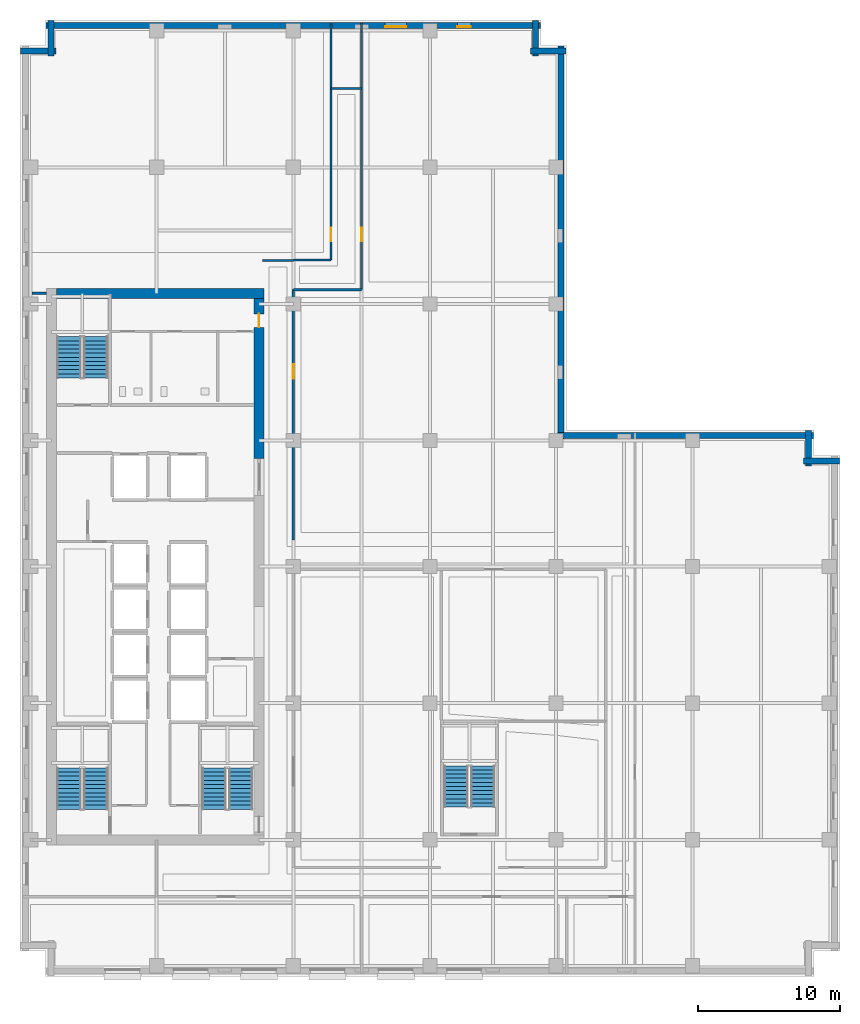
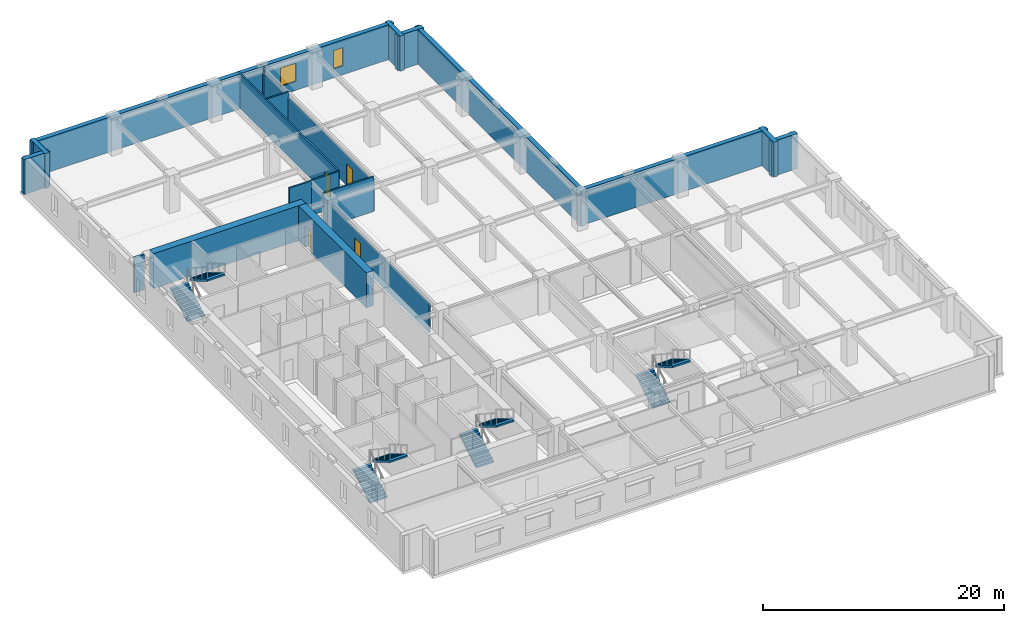
# One storey, part 7 of 12: 20 walls, 8 stair flights, 4 doors, 2 windows, 6 openings, 4 elements without a shape of their own.
"""IFC4 building model written with IfcOpenShell, lengths in metres."""

from ifc_helpers import new_model, si_unit, direction, frame, frame_2d, origin, place, context, subcontext, project, spatial, polyline, rectangle, outline, extrude, material, layer, layer_set, type_object, element, fill, aggregate, save


model = new_model("IFC4")

# Units and contexts
model_context = context("Model", 3, precision=1e-05, world=origin(), true_north=direction((0.0, 1.0)))
body_context = subcontext(model_context, "Body", "Model", "MODEL_VIEW")
ifc_project = project(units=[si_unit("LENGTHUNIT", "METRE"), si_unit("AREAUNIT", "SQUARE_METRE"), si_unit("VOLUMEUNIT", "CUBIC_METRE"), si_unit("PLANEANGLEUNIT", "RADIAN"), si_unit("MASSUNIT", "GRAM", prefix="KILO")], contexts=[model_context])

# Site, building, storey
site_placement = place(None, origin())
site = spatial("IfcSite", under=ifc_project, at=site_placement, CompositionType="ELEMENT")
building_placement = place(site_placement, origin())
building = spatial("IfcBuilding", under=site, at=building_placement, Name="Norrvale University Quadrangle", CompositionType="ELEMENT")
storey_placement = place(building_placement, frame((0.0, 0.0, 135.60009765625)))
storey = spatial("IfcBuildingStorey", under=building, at=storey_placement, Name="L34", CompositionType="ELEMENT", Elevation=135.60009765625)

# Walls
ifc_material_1 = material(Name="Buff Norman Clay Brick Masonry", Category="masonry")
ifc_layer_1 = layer(ifc_material_1, 0.419921875, Name="Buff Norman Clay Brick Masonry")
ifc_layer_set_1 = layer_set([ifc_layer_1], Name="Buff Norman Clay Brick Masonry")
wall_type_1 = type_object("IfcWallType", Name="Wall Buff Brick 420", PredefinedType="SOLIDWALL", material=ifc_layer_set_1)
for number, where, z_axis, x_axis, name in (
    (1, (57.56005859375, 36.2099609375, 0.0), (0.0, 0.0, 1.0), (-1.0, 0.0, 0.0), "Exterior Brick Facade Wall L34-05.1"),
    (2, (55.409912109375, 35.860107421875, 0.0), (0.0, 0.0, 1.0), (0.0, 1.0, 0.0), "Exterior Brick Facade Wall L34-06.1"),
):
    element("IfcWall", number, at=place(storey_placement, frame(where, z_axis=z_axis, x_axis=x_axis)), inside=storey, type_object=wall_type_1, Name=name, PredefinedType="SOLIDWALL", context=body_context, shape_type="SweptSolid", body=[
        extrude(rectangle(XDim=2.5, YDim=0.419921875, at=frame_2d((1.25, 0.0))), origin(), (0.0, 0.0, 1.0), 3.539794921875),
    ])
wall_1_placement = place(storey_placement, frame((55.760009765625, 38.010009765625, 0.0), z_axis=(0.0, 0.0, 1.0), x_axis=(-1.0, 0.0, 0.0)))
element("IfcWall", 3, at=wall_1_placement, inside=storey, type_object=wall_type_1, Name="Exterior Brick Facade Wall L34-07.1", PredefinedType="SOLIDWALL", context=body_context, shape_type="SweptSolid", body=[
    extrude(rectangle(XDim=18.10009765625, YDim=0.419921875, at=frame_2d((9.050048828125, 0.0))), origin(), (0.0, 0.0, 1.0), 3.539794921875),
])
wall_2_placement = place(storey_placement, frame((38.010009765625, 37.659912109375, 0.0), z_axis=(0.0, 0.0, 1.0), x_axis=(0.0, 1.0, 0.0)))
element("IfcWall", 4, at=wall_2_placement, inside=storey, type_object=wall_type_1, Name="Exterior Brick Facade Wall L34-08.1", PredefinedType="SOLIDWALL", context=body_context, shape_type="SweptSolid", body=[
    extrude(rectangle(XDim=27.7001953125, YDim=0.419921875, at=frame_2d((13.85009765625, 0.0))), origin(), (0.0, 0.0, 1.0), 3.539794921875),
])
for number, where, z_axis, x_axis, name in (
    (5, (38.360107421875, 65.010009765625, 0.0), (0.0, 0.0, 1.0), (-1.0, 0.0, 0.0), "Exterior Brick Facade Wall L34-09.1"),
    (6, (36.2099609375, 64.659912109375, 0.0), (0.0, 0.0, 1.0), (0.0, 1.0, 0.0), "Exterior Brick Facade Wall L34-10.1"),
):
    element("IfcWall", number, at=place(storey_placement, frame(where, z_axis=z_axis, x_axis=x_axis)), inside=storey, type_object=wall_type_1, Name=name, PredefinedType="SOLIDWALL", context=body_context, shape_type="SweptSolid", body=[
        extrude(rectangle(XDim=2.5, YDim=0.419921875, at=frame_2d((1.25, 0.0))), origin(), (0.0, 0.0, 1.0), 3.539794921875),
    ])

# Wall, openings, windows
wall_3_placement = place(storey_placement, frame((36.56005859375, 66.81005859375, 0.0), z_axis=(0.0, 0.0, 1.0), x_axis=(-1.0, 0.0, 0.0)))
wall_3 = element("IfcWall", 7, at=wall_3_placement, inside=storey, type_object=wall_type_1, Name="Exterior Brick Facade Wall L34-11.1", PredefinedType="SOLIDWALL", context=body_context, shape_type="SweptSolid", body=[
    extrude(rectangle(XDim=34.719970703125, YDim=0.419921875, at=frame_2d((17.35986328125, 0.0))), origin(), (0.0, 0.0, 1.0), 3.539794921875),
])
opening_1_placement = place(wall_3_placement, frame((4.885009765625, 0.0, 0.89990234375)))
opening_1 = element("IfcOpeningElement", 8, at=opening_1_placement, cuts=wall_3, Name="Opening W04", PredefinedType="OPENING", context=body_context, shape_type="SweptSolid", body=[
    extrude(rectangle(XDim=0.949951171875, YDim=1.85009765625, at=frame_2d((0.47509765625, 0.925048828125))), frame((0.0, 0.221923828125, 0.0), z_axis=(0.0, -1.0, 0.0), x_axis=(1.0, 0.0, 0.0)), (0.0, 0.0, 1.0), 0.44384765625),
])
opening_2_placement = place(wall_3_placement, frame((9.409912109375, 0.0, 0.89990234375)))
opening_2 = element("IfcOpeningElement", 9, at=opening_2_placement, cuts=wall_3, Name="Opening W03", PredefinedType="OPENING", context=body_context, shape_type="SweptSolid", body=[
    extrude(rectangle(XDim=1.5, YDim=1.85009765625, at=frame_2d((0.75, 0.925048828125))), frame((0.0, 0.221923828125, 0.0), z_axis=(0.0, -1.0, 0.0), x_axis=(1.0, 0.0, 0.0)), (0.0, 0.0, 1.0), 0.44384765625),
])
ifc_material_2 = material(Name="Triple Low-E Argon Glazing", Category="glass")
window_type_1 = type_object("IfcWindowType", Name="Window Narrow Pier 950x2300", PartitioningType="SINGLE_PANEL", PredefinedType="WINDOW", material=ifc_material_2)
window_1_placement = place(opening_1_placement, origin())
window_1 = element("IfcWindow", 10, at=window_1_placement, inside=storey, type_object=window_type_1, Name="Window Narrow Pier 950x2300 WIN-L34-E11-1-01", OverallHeight=1.85009765625, OverallWidth=0.949951171875, PartitioningType="SINGLE_PANEL", PredefinedType="WINDOW", context=body_context, shape_type="SweptSolid", body=[
    extrude(rectangle(XDim=0.949951171875, YDim=1.85009765625, at=frame_2d((0.47509765625, 0.925048828125))), frame((0.0, 0.110107421875, 0.0), z_axis=(0.0, -1.0, 0.0), x_axis=(1.0, 0.0, 0.0)), (0.0, 0.0, 1.0), 0.06005859375),
])
fill(opening_1, window_1)
window_type_2 = type_object("IfcWindowType", Name="Window Studio 1500x2300", PartitioningType="DOUBLE_PANEL_VERTICAL", PredefinedType="WINDOW", material=ifc_material_2)
window_2_placement = place(opening_2_placement, origin())
window_2 = element("IfcWindow", 11, at=window_2_placement, inside=storey, type_object=window_type_2, Name="Window Studio 1500x2300 WIN-L34-E11-1-02", OverallHeight=1.85009765625, OverallWidth=1.5, PartitioningType="DOUBLE_PANEL_VERTICAL", PredefinedType="WINDOW", context=body_context, shape_type="SweptSolid", body=[
    extrude(rectangle(XDim=1.5, YDim=1.85009765625, at=frame_2d((0.75, 0.925048828125))), frame((0.0, 0.110107421875, 0.0), z_axis=(0.0, -1.0, 0.0), x_axis=(1.0, 0.0, 0.0)), (0.0, 0.0, 1.0), 0.06005859375),
])
fill(opening_2, window_2)

# Walls
for number, where, z_axis, x_axis, name in (
    (12, (2.18994140625, 67.159912109375, 0.0), (0.0, 0.0, 1.0), (0.0, -1.0, 0.0), "Exterior Brick Facade Wall L34-12.1"),
    (13, (2.5400390625, 65.010009765625, 0.0), (0.0, 0.0, 1.0), (-1.0, 0.0, 0.0), "Exterior Brick Facade Wall L34-13.1"),
):
    element("IfcWall", number, at=place(storey_placement, frame(where, z_axis=z_axis, x_axis=x_axis)), inside=storey, type_object=wall_type_1, Name=name, PredefinedType="SOLIDWALL", context=body_context, shape_type="SweptSolid", body=[
        extrude(rectangle(XDim=2.5, YDim=0.419921875, at=frame_2d((1.25, 0.0))), origin(), (0.0, 0.0, 1.0), 3.539794921875),
    ])
ifc_material_3 = material(Name="Concrete C60/75", Category="concrete")
ifc_layer_2 = layer(ifc_material_3, 0.699951171875, Name="Concrete C60/75")
ifc_layer_set_2 = layer_set([ifc_layer_2], Name="Concrete C60/75")
wall_type_2 = type_object("IfcWallType", Name="Wall Core 700", PredefinedType="SHEAR", material=ifc_layer_set_2)
wall_4_placement = place(storey_placement, frame((2.550048828125, 48.0, 0.0), z_axis=(0.0, 0.0, 1.0), x_axis=(1.0, 0.0, 0.0)))
element("IfcWall", 14, at=wall_4_placement, inside=storey, type_object=wall_type_2, Name="Tower Core Shear Wall L34-N", PredefinedType="SHEAR", context=body_context, shape_type="SweptSolid", body=[
    extrude(rectangle(XDim=14.599853515625, YDim=0.699951171875, at=frame_2d((7.2998046875, 0.0))), origin(), (0.0, 0.0, 1.0), 3.539794921875),
])

# Wall, opening, door
wall_5_placement = place(storey_placement, frame((16.800048828125, 36.39990234375, 0.0), z_axis=(0.0, 0.0, 1.0), x_axis=(0.0, 1.0, 0.0)))
wall_5 = element("IfcWall", 15, at=wall_5_placement, inside=storey, type_object=wall_type_2, Name="Tower Core Shear Wall L34-E3", PredefinedType="SHEAR", context=body_context, shape_type="SweptSolid", body=[
    extrude(rectangle(XDim=11.25, YDim=0.699951171875, at=frame_2d((5.625, 0.0))), origin(), (0.0, 0.0, 1.0), 3.539794921875),
])
opening_3_placement = place(wall_5_placement, frame((9.199951171875, 0.0, 0.0)))
opening_3 = element("IfcOpeningElement", 16, at=opening_3_placement, cuts=wall_5, Name="Opening D07", PredefinedType="OPENING", context=body_context, shape_type="SweptSolid", body=[
    extrude(rectangle(XDim=0.949951171875, YDim=2.14990234375, at=frame_2d((0.47509765625, 1.074951171875))), frame((0.0, 0.362060546875, 0.0), z_axis=(0.0, -1.0, 0.0), x_axis=(1.0, 0.0, 0.0)), (0.0, 0.0, 1.0), 0.723876953125),
])
ifc_material_4 = material(Name="Solid-Core Maple Door", Category="wood")
door_type_1 = type_object("IfcDoorType", Name="Door Office 950x2150", OperationType="NOTDEFINED", PredefinedType="DOOR", material=ifc_material_4)
door_1_placement = place(opening_3_placement, origin())
door_1 = element("IfcDoor", 17, at=door_1_placement, inside=storey, type_object=door_type_1, Name="Door Office 950x2150 DR-L34-NECORR", OperationType="SINGLE_SWING_LEFT", OverallHeight=2.14990234375, OverallWidth=0.949951171875, PredefinedType="DOOR", context=body_context, shape_type="SweptSolid", body=[
    extrude(rectangle(XDim=0.949951171875, YDim=2.14990234375, at=frame_2d((0.47509765625, 1.074951171875))), frame((0.0, 0.02490234375, 0.0), z_axis=(0.0, -1.0, 0.0), x_axis=(1.0, 0.0, 0.0)), (0.0, 0.0, 1.0), 0.050048828125),
])
fill(opening_3, door_1)

# Wall
ifc_material_5 = material(Name="Fire-Rated Gypsum Stud Partition")
ifc_layer_3 = layer(ifc_material_5, 0.14990234375, Name="Fire-Rated Gypsum Stud Partition")
ifc_layer_set_3 = layer_set([ifc_layer_3], Name="Fire-Rated Gypsum Stud Partition")
wall_type_3 = type_object("IfcWallType", Name="Wall Gypsum Corridor 150", PredefinedType="PARTITIONING", material=ifc_layer_set_3)
wall_6_placement = place(storey_placement, frame((17.050048828125, 50.300048828125, 0.0), z_axis=(0.0, 0.0, 1.0), x_axis=(1.0, 0.0, 0.0)))
element("IfcWall", 18, at=wall_6_placement, inside=storey, type_object=wall_type_3, Name="Interior Partition WL-L34-CN-END", PredefinedType="PARTITIONING", context=body_context, shape_type="SweptSolid", body=[
    extrude(rectangle(XDim=2.14990234375, YDim=0.14990234375, at=frame_2d((1.074951171875, 0.0))), origin(), (0.0, 0.0, 1.0), 3.539794921875),
])

# Wall, opening, door
wall_7_placement = place(storey_placement, frame((19.199951171875, 30.64990234375, 0.0), z_axis=(0.0, 0.0, 1.0), x_axis=(0.0, 1.0, 0.0)))
wall_7 = element("IfcWall", 19, at=wall_7_placement, inside=storey, type_object=wall_type_3, Name="Interior Partition WL-L34-MNECW", PredefinedType="PARTITIONING", context=body_context, shape_type="SweptSolid", body=[
    extrude(rectangle(XDim=17.60009765625, YDim=0.14990234375, at=frame_2d((8.800048828125, 0.0))), origin(), (0.0, 0.0, 1.0), 2.995849609375),
])
opening_4_placement = place(wall_7_placement, frame((11.35009765625, 0.0, 0.0)))
opening_4 = element("IfcOpeningElement", 20, at=opening_4_placement, cuts=wall_7, Name="Opening D04", PredefinedType="OPENING", context=body_context, shape_type="SweptSolid", body=[
    extrude(rectangle(XDim=1.0, YDim=2.199951171875, at=frame_2d((0.5, 1.10009765625))), frame((0.0, 0.0869140625, 0.0), z_axis=(0.0, -1.0, 0.0), x_axis=(1.0, 0.0, 0.0)), (0.0, 0.0, 1.0), 0.173828125),
])
ifc_material_6 = material(Name="Solid-Core Oak Fire Door", Category="wood")
door_type_2 = type_object("IfcDoorType", Name="Door Corridor 1000x2200", OperationType="NOTDEFINED", PredefinedType="DOOR", material=ifc_material_6)
door_2_placement = place(opening_4_placement, origin())
door_2 = element("IfcDoor", 21, at=door_2_placement, inside=storey, type_object=door_type_2, Name="Door Corridor 1000x2200 DR-L34-MNE01", OperationType="SINGLE_SWING_RIGHT", OverallHeight=2.199951171875, OverallWidth=1.0, PredefinedType="DOOR", context=body_context, shape_type="SweptSolid", body=[
    extrude(rectangle(XDim=1.0, YDim=2.199951171875, at=frame_2d((0.5, 1.10009765625))), frame((0.0, 0.02490234375, 0.0), z_axis=(0.0, -1.0, 0.0), x_axis=(1.0, 0.0, 0.0)), (0.0, 0.0, 1.0), 0.050048828125),
])
fill(opening_4, door_2)

# Walls
wall_8_placement = place(storey_placement, frame((19.199951171875, 48.25, 0.0), z_axis=(0.0, 0.0, 1.0), x_axis=(1.0, 0.0, 0.0)))
element("IfcWall", 22, at=wall_8_placement, inside=storey, type_object=wall_type_3, Name="Interior Partition WL-L34-JOGS", PredefinedType="PARTITIONING", context=body_context, shape_type="SweptSolid", body=[
    extrude(rectangle(XDim=4.800048828125, YDim=0.14990234375, at=frame_2d((2.39990234375, 0.0))), origin(), (0.0, 0.0, 1.0), 3.539794921875),
])
wall_9_placement = place(storey_placement, frame((19.199951171875, 50.35009765625, 0.0), z_axis=(0.0, 0.0, 1.0), x_axis=(1.0, 0.0, 0.0)))
element("IfcWall", 23, at=wall_9_placement, inside=storey, type_object=wall_type_3, Name="Interior Partition WL-L34-JOGN", PredefinedType="PARTITIONING", context=body_context, shape_type="SweptSolid", body=[
    extrude(rectangle(XDim=2.650146484375, YDim=0.14990234375, at=frame_2d((1.3251953125, 0.0))), origin(), (0.0, 0.0, 1.0), 3.539794921875),
])
wall_10_placement = place(storey_placement, frame((21.85009765625, 62.39990234375, 0.0), z_axis=(0.0, 0.0, 1.0), x_axis=(1.0, 0.0, 0.0)))
element("IfcWall", 24, at=wall_10_placement, inside=storey, type_object=wall_type_3, Name="Interior Partition WL-L34-JOGEND", PredefinedType="PARTITIONING", context=body_context, shape_type="SweptSolid", body=[
    extrude(rectangle(XDim=2.14990234375, YDim=0.14990234375, at=frame_2d((1.074951171875, 0.0))), origin(), (0.0, 0.0, 1.0), 3.539794921875),
])

# Wall, opening, door
wall_11_placement = place(storey_placement, frame((24.0, 48.25, 0.0), z_axis=(0.0, 0.0, 1.0), x_axis=(0.0, 1.0, 0.0)))
wall_11 = element("IfcWall", 25, at=wall_11_placement, inside=storey, type_object=wall_type_3, Name="Interior Partition WL-L34-NECW", PredefinedType="PARTITIONING", context=body_context, shape_type="SweptSolid", body=[
    extrude(rectangle(XDim=18.093994140625, YDim=0.14990234375, at=frame_2d((9.046875, 0.0))), origin(), (0.0, 0.0, 1.0), 3.0068359375),
])
opening_5_placement = place(wall_11_placement, frame((3.39990234375, 0.0, 0.0)))
opening_5 = element("IfcOpeningElement", 26, at=opening_5_placement, cuts=wall_11, Name="Opening D07", PredefinedType="OPENING", context=body_context, shape_type="SweptSolid", body=[
    extrude(rectangle(XDim=0.949951171875, YDim=2.14990234375, at=frame_2d((0.47509765625, 1.074951171875))), frame((0.0, 0.0869140625, 0.0), z_axis=(0.0, -1.0, 0.0), x_axis=(1.0, 0.0, 0.0)), (0.0, 0.0, 1.0), 0.173828125),
])
door_3_placement = place(opening_5_placement, origin())
door_3 = element("IfcDoor", 27, at=door_3_placement, inside=storey, type_object=door_type_1, Name="Door Office 950x2150 DR-L34-NE01", OperationType="SINGLE_SWING_RIGHT", OverallHeight=2.14990234375, OverallWidth=0.949951171875, PredefinedType="DOOR", context=body_context, shape_type="SweptSolid", body=[
    extrude(rectangle(XDim=0.949951171875, YDim=2.14990234375, at=frame_2d((0.47509765625, 1.074951171875))), frame((0.0, 0.02490234375, 0.0), z_axis=(0.0, -1.0, 0.0), x_axis=(1.0, 0.0, 0.0)), (0.0, 0.0, 1.0), 0.050048828125),
])
fill(opening_5, door_3)

# Wall
wall_12_placement = place(storey_placement, frame((24.0, 66.343994140625, 0.0), z_axis=(0.0, 0.0, 1.0), x_axis=(0.0, 1.0, 0.0)))
element("IfcWall", 28, at=wall_12_placement, inside=storey, type_object=wall_type_3, Name="Interior Partition WL-L34-NECW-B2", PredefinedType="PARTITIONING", context=body_context, shape_type="SweptSolid", body=[
    extrude(rectangle(XDim=0.635986328125, YDim=0.14990234375, at=frame_2d((0.31787109375, 0.0))), origin(), (0.0, 0.0, 1.0), 3.539794921875),
])

# Wall, opening, door
wall_13_placement = place(storey_placement, frame((21.85009765625, 50.35009765625, 0.0), z_axis=(0.0, 0.0, 1.0), x_axis=(0.0, 1.0, 0.0)))
wall_13 = element("IfcWall", 29, at=wall_13_placement, inside=storey, type_object=wall_type_3, Name="Interior Partition WL-L34-NWCW", PredefinedType="PARTITIONING", context=body_context, shape_type="SweptSolid", body=[
    extrude(rectangle(XDim=16.6298828125, YDim=0.14990234375, at=frame_2d((8.31494140625, 0.0))), origin(), (0.0, 0.0, 1.0), 3.539794921875),
])
opening_6_placement = place(wall_13_placement, frame((1.300048828125, 0.0, 0.0)))
opening_6 = element("IfcOpeningElement", 30, at=opening_6_placement, cuts=wall_13, Name="Opening D07", PredefinedType="OPENING", context=body_context, shape_type="SweptSolid", body=[
    extrude(rectangle(XDim=0.949951171875, YDim=2.14990234375, at=frame_2d((0.47509765625, 1.074951171875))), frame((0.0, 0.0869140625, 0.0), z_axis=(0.0, -1.0, 0.0), x_axis=(1.0, 0.0, 0.0)), (0.0, 0.0, 1.0), 0.173828125),
])
door_4_placement = place(opening_6_placement, origin())
door_4 = element("IfcDoor", 31, at=door_4_placement, inside=storey, type_object=door_type_1, Name="Door Office 950x2150 DR-L34-NW01", OperationType="SINGLE_SWING_RIGHT", OverallHeight=2.14990234375, OverallWidth=0.949951171875, PredefinedType="DOOR", context=body_context, shape_type="SweptSolid", body=[
    extrude(rectangle(XDim=0.949951171875, YDim=2.14990234375, at=frame_2d((0.47509765625, 1.074951171875))), frame((0.0, 0.02490234375, 0.0), z_axis=(0.0, -1.0, 0.0), x_axis=(1.0, 0.0, 0.0)), (0.0, 0.0, 1.0), 0.050048828125),
])
fill(opening_6, door_4)

# Wall
ifc_material_7 = material(Name="Concrete Blockwork 20 MPa Rated Wall", Category="masonry")
ifc_layer_4 = layer(ifc_material_7, 0.199951171875, Name="Concrete Blockwork 20 MPa Rated Wall")
ifc_layer_set_4 = layer_set([ifc_layer_4], Name="Concrete Blockwork 20 MPa Rated Wall")
wall_type_4 = type_object("IfcWallType", Name="Wall Lobby 200", PredefinedType="SOLIDWALL", material=ifc_layer_set_4)
wall_14_placement = place(storey_placement, frame((0.85009765625, 48.0, 0.0), z_axis=(0.0, 0.0, 1.0), x_axis=(1.0, 0.0, 0.0)))
element("IfcWall", 32, at=wall_14_placement, inside=storey, type_object=wall_type_4, Name="Interior Partition WL-L34-CWRET-N", PredefinedType="SOLIDWALL", context=body_context, shape_type="SweptSolid", body=[
    extrude(rectangle(XDim=0.994873046875, YDim=0.199951171875, at=frame_2d((0.49755859375, 0.0))), origin(), (0.0, 0.0, 1.0), 3.539794921875),
])

# Stair, stair flights
ifc_material_8 = material(Name="Concrete C40/50", Category="concrete")
stair_type = type_object("IfcStairType", Name="Stair Tower Typ 3800", PredefinedType="TWO_STRAIGHT_RUN_STAIR", material=ifc_material_8)
stair_1_placement = place(storey_placement, origin())
stair_1 = element("IfcStair", 33, at=stair_1_placement, inside=storey, type_object=stair_type, Name="Exit Stair ST-01 L34", PredefinedType="TWO_STRAIGHT_RUN_STAIR")
stair_flight_type = type_object("IfcStairFlightType", Name="Flight Typ 1500", PredefinedType="STRAIGHT", material=ifc_material_8)
stair_flight_1_placement = place(storey_placement, frame((3.429931640625, 11.75, 0.0), z_axis=(0.0, 0.0, 1.0), x_axis=(0.0, 1.0, 0.0)))
stair_flight_1 = element("IfcStairFlight", 34, at=stair_flight_1_placement, type_object=stair_flight_type, Name="Exit Stair ST-01 L34 Lower Flight", NumberOfRisers=11, NumberOfTreads=10, PredefinedType="STRAIGHT", RiserHeight=0.172727, TreadLength=0.29, context=body_context, shape_type="SweptSolid", body=[
    extrude(outline(polyline([(0.0, 0.0), (0.0, 0.172607421875), (0.2900390625, 0.172607421875), (0.2900390625, 0.345458984375), (0.580078125, 0.345458984375), (0.580078125, 0.51806640625), (0.8701171875, 0.51806640625), (0.8701171875, 0.69091796875), (1.159912109375, 0.69091796875), (1.159912109375, 0.863525390625), (1.449951171875, 0.863525390625), (1.449951171875, 1.036376953125), (1.739990234375, 1.036376953125), (1.739990234375, 1.208984375), (2.030029296875, 1.208984375), (2.030029296875, 1.3818359375), (2.320068359375, 1.3818359375), (2.320068359375, 1.554443359375), (2.610107421875, 1.554443359375), (2.610107421875, 1.727294921875), (2.89990234375, 1.727294921875), (2.89990234375, 1.89990234375), (2.89990234375, 1.552734375), (0.29296875, 0.0), (0.0, 0.0)])), frame((0.0, 0.83984375, 0.0), z_axis=(0.0, -1.0, 0.0), x_axis=(1.0, 0.0, 0.0)), (0.0, 0.0, 1.0), 1.679931640625),
])
stair_flight_2_placement = place(storey_placement, frame((5.320068359375, 14.64990234375, 1.89990234375), z_axis=(0.0, 0.0, 1.0), x_axis=(0.0, -1.0, 0.0)))
stair_flight_2 = element("IfcStairFlight", 35, at=stair_flight_2_placement, type_object=stair_flight_type, Name="Exit Stair ST-01 L34 Upper Flight", NumberOfRisers=11, NumberOfTreads=10, PredefinedType="STRAIGHT", RiserHeight=0.172727, TreadLength=0.29, context=body_context, shape_type="SweptSolid", body=[
    extrude(outline(polyline([(0.0, 0.0), (0.0, 0.172607421875), (0.2900390625, 0.172607421875), (0.2900390625, 0.345458984375), (0.580078125, 0.345458984375), (0.580078125, 0.51806640625), (0.8701171875, 0.51806640625), (0.8701171875, 0.69091796875), (1.159912109375, 0.69091796875), (1.159912109375, 0.863525390625), (1.449951171875, 0.863525390625), (1.449951171875, 1.036376953125), (1.739990234375, 1.036376953125), (1.739990234375, 1.208984375), (2.030029296875, 1.208984375), (2.030029296875, 1.3818359375), (2.320068359375, 1.3818359375), (2.320068359375, 1.554443359375), (2.610107421875, 1.554443359375), (2.610107421875, 1.727294921875), (2.89990234375, 1.727294921875), (2.89990234375, 1.89990234375), (2.89990234375, 1.552734375), (0.29296875, 0.0), (0.0, 0.0)])), frame((0.0, 0.83984375, 0.0), z_axis=(0.0, -1.0, 0.0), x_axis=(1.0, 0.0, 0.0)), (0.0, 0.0, 1.0), 1.679931640625),
])
aggregate(stair_1, [stair_flight_1, stair_flight_2])

stair_2_placement = place(storey_placement, origin())
stair_2 = element("IfcStair", 36, at=stair_2_placement, inside=storey, type_object=stair_type, Name="Exit Stair ST-02 L34", PredefinedType="TWO_STRAIGHT_RUN_STAIR")
stair_flight_3_placement = place(storey_placement, frame((3.429931640625, 42.050048828125, 0.0), z_axis=(0.0, 0.0, 1.0), x_axis=(0.0, 1.0, 0.0)))
stair_flight_3 = element("IfcStairFlight", 37, at=stair_flight_3_placement, type_object=stair_flight_type, Name="Exit Stair ST-02 L34 Lower Flight", NumberOfRisers=11, NumberOfTreads=10, PredefinedType="STRAIGHT", RiserHeight=0.172727, TreadLength=0.29, context=body_context, shape_type="SweptSolid", body=[
    extrude(outline(polyline([(0.0, 0.0), (0.0, 0.172607421875), (0.2900390625, 0.172607421875), (0.2900390625, 0.345458984375), (0.580078125, 0.345458984375), (0.580078125, 0.51806640625), (0.8701171875, 0.51806640625), (0.8701171875, 0.69091796875), (1.159912109375, 0.69091796875), (1.159912109375, 0.863525390625), (1.449951171875, 0.863525390625), (1.449951171875, 1.036376953125), (1.739990234375, 1.036376953125), (1.739990234375, 1.208984375), (2.030029296875, 1.208984375), (2.030029296875, 1.3818359375), (2.320068359375, 1.3818359375), (2.320068359375, 1.554443359375), (2.610107421875, 1.554443359375), (2.610107421875, 1.727294921875), (2.89990234375, 1.727294921875), (2.89990234375, 1.89990234375), (2.89990234375, 1.552734375), (0.29296875, 0.0), (0.0, 0.0)])), frame((0.0, 0.83984375, 0.0), z_axis=(0.0, -1.0, 0.0), x_axis=(1.0, 0.0, 0.0)), (0.0, 0.0, 1.0), 1.679931640625),
])
stair_flight_4_placement = place(storey_placement, frame((5.320068359375, 44.949951171875, 1.89990234375), z_axis=(0.0, 0.0, 1.0), x_axis=(0.0, -1.0, 0.0)))
stair_flight_4 = element("IfcStairFlight", 38, at=stair_flight_4_placement, type_object=stair_flight_type, Name="Exit Stair ST-02 L34 Upper Flight", NumberOfRisers=11, NumberOfTreads=10, PredefinedType="STRAIGHT", RiserHeight=0.172727, TreadLength=0.29, context=body_context, shape_type="SweptSolid", body=[
    extrude(outline(polyline([(0.0, 0.0), (0.0, 0.172607421875), (0.2900390625, 0.172607421875), (0.2900390625, 0.345458984375), (0.580078125, 0.345458984375), (0.580078125, 0.51806640625), (0.8701171875, 0.51806640625), (0.8701171875, 0.69091796875), (1.159912109375, 0.69091796875), (1.159912109375, 0.863525390625), (1.449951171875, 0.863525390625), (1.449951171875, 1.036376953125), (1.739990234375, 1.036376953125), (1.739990234375, 1.208984375), (2.030029296875, 1.208984375), (2.030029296875, 1.3818359375), (2.320068359375, 1.3818359375), (2.320068359375, 1.554443359375), (2.610107421875, 1.554443359375), (2.610107421875, 1.727294921875), (2.89990234375, 1.727294921875), (2.89990234375, 1.89990234375), (2.89990234375, 1.552734375), (0.29296875, 0.0), (0.0, 0.0)])), frame((0.0, 0.83984375, 0.0), z_axis=(0.0, -1.0, 0.0), x_axis=(1.0, 0.0, 0.0)), (0.0, 0.0, 1.0), 1.679931640625),
])
aggregate(stair_2, [stair_flight_3, stair_flight_4])

stair_3_placement = place(storey_placement, origin())
stair_3 = element("IfcStair", 39, at=stair_3_placement, inside=storey, type_object=stair_type, Name="Exit Stair ST-03 L34", PredefinedType="TWO_STRAIGHT_RUN_STAIR")
stair_flight_5_placement = place(storey_placement, frame((13.6298828125, 11.75, 0.0), z_axis=(0.0, 0.0, 1.0), x_axis=(0.0, 1.0, 0.0)))
stair_flight_5 = element("IfcStairFlight", 40, at=stair_flight_5_placement, type_object=stair_flight_type, Name="Exit Stair ST-03 L34 Lower Flight", NumberOfRisers=11, NumberOfTreads=10, PredefinedType="STRAIGHT", RiserHeight=0.172727, TreadLength=0.29, context=body_context, shape_type="SweptSolid", body=[
    extrude(outline(polyline([(0.0, 0.0), (0.0, 0.172607421875), (0.2900390625, 0.172607421875), (0.2900390625, 0.345458984375), (0.580078125, 0.345458984375), (0.580078125, 0.51806640625), (0.8701171875, 0.51806640625), (0.8701171875, 0.69091796875), (1.159912109375, 0.69091796875), (1.159912109375, 0.863525390625), (1.449951171875, 0.863525390625), (1.449951171875, 1.036376953125), (1.739990234375, 1.036376953125), (1.739990234375, 1.208984375), (2.030029296875, 1.208984375), (2.030029296875, 1.3818359375), (2.320068359375, 1.3818359375), (2.320068359375, 1.554443359375), (2.610107421875, 1.554443359375), (2.610107421875, 1.727294921875), (2.89990234375, 1.727294921875), (2.89990234375, 1.89990234375), (2.89990234375, 1.552734375), (0.29296875, 0.0), (0.0, 0.0)])), frame((0.0, 0.83984375, 0.0), z_axis=(0.0, -1.0, 0.0), x_axis=(1.0, 0.0, 0.0)), (0.0, 0.0, 1.0), 1.679931640625),
])
stair_flight_6_placement = place(storey_placement, frame((15.52001953125, 14.64990234375, 1.89990234375), z_axis=(0.0, 0.0, 1.0), x_axis=(0.0, -1.0, 0.0)))
stair_flight_6 = element("IfcStairFlight", 41, at=stair_flight_6_placement, type_object=stair_flight_type, Name="Exit Stair ST-03 L34 Upper Flight", NumberOfRisers=11, NumberOfTreads=10, PredefinedType="STRAIGHT", RiserHeight=0.172727, TreadLength=0.29, context=body_context, shape_type="SweptSolid", body=[
    extrude(outline(polyline([(0.0, 0.0), (0.0, 0.172607421875), (0.2900390625, 0.172607421875), (0.2900390625, 0.345458984375), (0.580078125, 0.345458984375), (0.580078125, 0.51806640625), (0.8701171875, 0.51806640625), (0.8701171875, 0.69091796875), (1.159912109375, 0.69091796875), (1.159912109375, 0.863525390625), (1.449951171875, 0.863525390625), (1.449951171875, 1.036376953125), (1.739990234375, 1.036376953125), (1.739990234375, 1.208984375), (2.030029296875, 1.208984375), (2.030029296875, 1.3818359375), (2.320068359375, 1.3818359375), (2.320068359375, 1.554443359375), (2.610107421875, 1.554443359375), (2.610107421875, 1.727294921875), (2.89990234375, 1.727294921875), (2.89990234375, 1.89990234375), (2.89990234375, 1.552734375), (0.29296875, 0.0), (0.0, 0.0)])), frame((0.0, 0.83984375, 0.0), z_axis=(0.0, -1.0, 0.0), x_axis=(1.0, 0.0, 0.0)), (0.0, 0.0, 1.0), 1.679931640625),
])
aggregate(stair_3, [stair_flight_5, stair_flight_6])

stair_4_placement = place(storey_placement, origin())
stair_4 = element("IfcStair", 42, at=stair_4_placement, inside=storey, type_object=stair_type, Name="Exit Stair ST-04 L34", PredefinedType="TWO_STRAIGHT_RUN_STAIR")
stair_flight_7_placement = place(storey_placement, frame((30.6298828125, 11.89990234375, 0.0), z_axis=(0.0, 0.0, 1.0), x_axis=(0.0, 1.0, 0.0)))
stair_flight_7 = element("IfcStairFlight", 43, at=stair_flight_7_placement, type_object=stair_flight_type, Name="Exit Stair ST-04 L34 Lower Flight", NumberOfRisers=11, NumberOfTreads=10, PredefinedType="STRAIGHT", RiserHeight=0.172727, TreadLength=0.29, context=body_context, shape_type="SweptSolid", body=[
    extrude(outline(polyline([(0.0, 0.0), (0.0, 0.172607421875), (0.2900390625, 0.172607421875), (0.2900390625, 0.345458984375), (0.580078125, 0.345458984375), (0.580078125, 0.51806640625), (0.8701171875, 0.51806640625), (0.8701171875, 0.69091796875), (1.159912109375, 0.69091796875), (1.159912109375, 0.863525390625), (1.449951171875, 0.863525390625), (1.449951171875, 1.036376953125), (1.739990234375, 1.036376953125), (1.739990234375, 1.208984375), (2.030029296875, 1.208984375), (2.030029296875, 1.3818359375), (2.320068359375, 1.3818359375), (2.320068359375, 1.554443359375), (2.610107421875, 1.554443359375), (2.610107421875, 1.727294921875), (2.89990234375, 1.727294921875), (2.89990234375, 1.89990234375), (2.89990234375, 1.552734375), (0.29296875, 0.0), (0.0, 0.0)])), frame((0.0, 0.83984375, 0.0), z_axis=(0.0, -1.0, 0.0), x_axis=(1.0, 0.0, 0.0)), (0.0, 0.0, 1.0), 1.679931640625),
])
stair_flight_8_placement = place(storey_placement, frame((32.52001953125, 14.800048828125, 1.89990234375), z_axis=(0.0, 0.0, 1.0), x_axis=(0.0, -1.0, 0.0)))
stair_flight_8 = element("IfcStairFlight", 44, at=stair_flight_8_placement, type_object=stair_flight_type, Name="Exit Stair ST-04 L34 Upper Flight", NumberOfRisers=11, NumberOfTreads=10, PredefinedType="STRAIGHT", RiserHeight=0.172727, TreadLength=0.29, context=body_context, shape_type="SweptSolid", body=[
    extrude(outline(polyline([(0.0, 0.0), (0.0, 0.172607421875), (0.2900390625, 0.172607421875), (0.2900390625, 0.345458984375), (0.580078125, 0.345458984375), (0.580078125, 0.51806640625), (0.8701171875, 0.51806640625), (0.8701171875, 0.69091796875), (1.159912109375, 0.69091796875), (1.159912109375, 0.863525390625), (1.449951171875, 0.863525390625), (1.449951171875, 1.036376953125), (1.739990234375, 1.036376953125), (1.739990234375, 1.208984375), (2.030029296875, 1.208984375), (2.030029296875, 1.3818359375), (2.320068359375, 1.3818359375), (2.320068359375, 1.554443359375), (2.610107421875, 1.554443359375), (2.610107421875, 1.727294921875), (2.89990234375, 1.727294921875), (2.89990234375, 1.89990234375), (2.89990234375, 1.552734375), (0.29296875, 0.0), (0.0, 0.0)])), frame((0.0, 0.83984375, 0.0), z_axis=(0.0, -1.0, 0.0), x_axis=(1.0, 0.0, 0.0)), (0.0, 0.0, 1.0), 1.679931640625),
])
aggregate(stair_4, [stair_flight_7, stair_flight_8])

save(model, "model.ifc")
